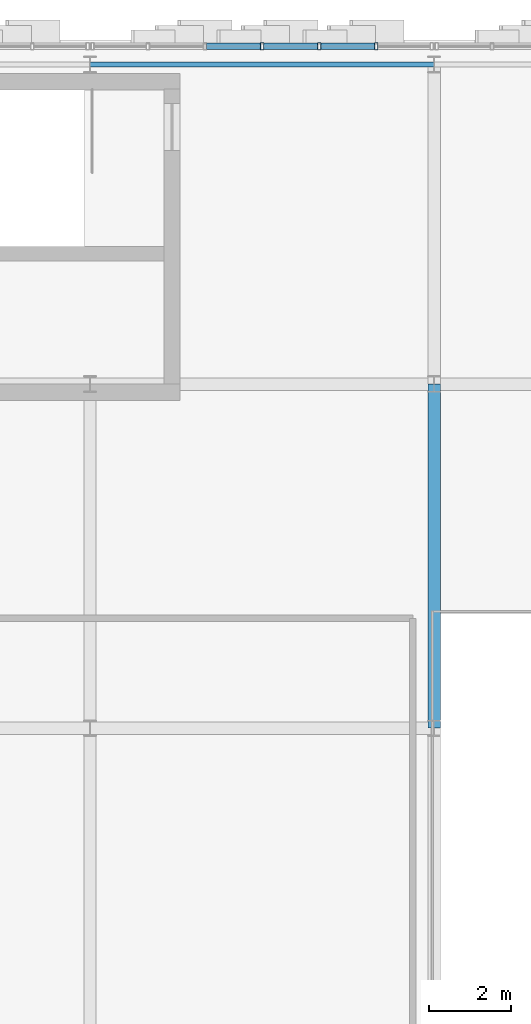
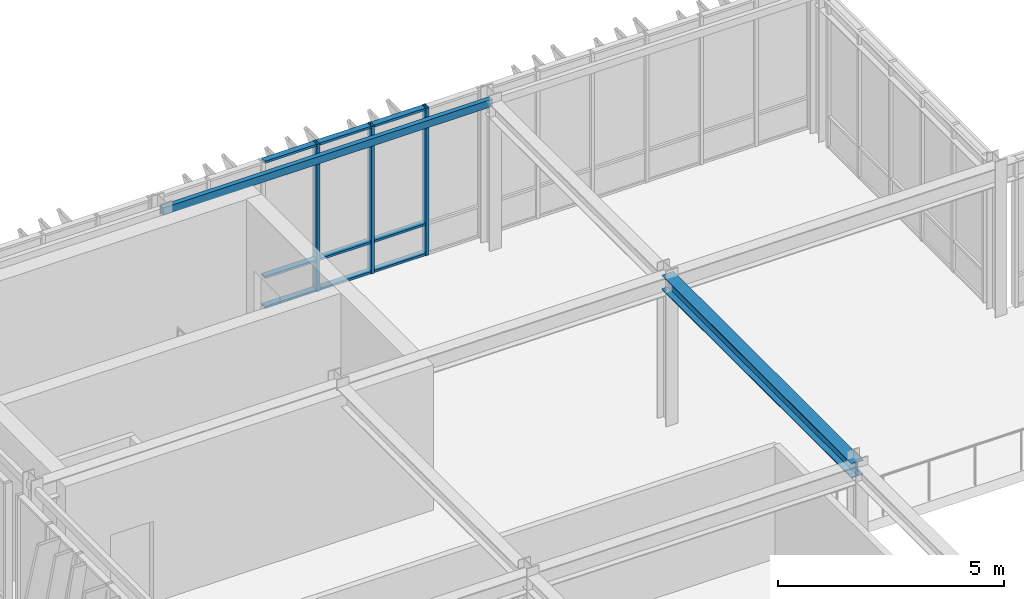
# One storey, part 43 of 123: 12 members, 2 beams, 1 element without a shape of its own.
"""IFC4 building model written with IfcOpenShell, lengths in metres."""

from ifc_helpers import new_model, si_unit, direction, frame, origin, origin_2d, place, context, subcontext, project, spatial, hollow_rectangle, i_section, extrude, material, layer, layer_set, material_profile, profile_set, type_object, element, aggregate, save


model = new_model("IFC4")

# Units and contexts
model_context = context("Model", 3, precision=1e-05, world=origin(), true_north=direction((0.0, 1.0)))
body_context = subcontext(model_context, "Body", "Model", "MODEL_VIEW")
ifc_project = project(units=[si_unit("LENGTHUNIT", "METRE"), si_unit("AREAUNIT", "SQUARE_METRE"), si_unit("VOLUMEUNIT", "CUBIC_METRE"), si_unit("PLANEANGLEUNIT", "RADIAN"), si_unit("MASSUNIT", "GRAM", prefix="KILO")], contexts=[model_context])

# Site, building, storey
site_placement = place(None, origin())
site = spatial("IfcSite", under=ifc_project, at=site_placement, CompositionType="ELEMENT")
building_placement = place(site_placement, origin())
building = spatial("IfcBuilding", under=site, at=building_placement, Name="Zayran Congress Hotel", CompositionType="ELEMENT")
storey_placement = place(building_placement, frame((0.0, 0.0, 15.0)))
storey = spatial("IfcBuildingStorey", under=building, at=storey_placement, Name="L03", CompositionType="ELEMENT", Elevation=15.0)

# Beams
ifc_material_1 = material(Name="Steel S355", Category="steel")
ifc_material_profile_1 = material_profile(ifc_material_1, i_section(OverallWidth=0.300048828125, OverallDepth=0.389892578125, WebThickness=0.010986328125, FlangeThickness=0.01904296875, at=origin_2d()), Name="HEA 400")
ifc_profile_set_1 = profile_set([ifc_material_profile_1], Name="Steel S355")
beam_type_1 = type_object("IfcBeamType", Name="TP-BM-06", PredefinedType="BEAM", material=ifc_profile_set_1)
beam_1_placement = place(storey_placement, frame((25.199951171875, 101.199951171875, 3.784912109375), z_axis=(0.0, 1.0, 0.0), x_axis=(-1.0, 0.0, 0.0)))
element("IfcBeam", 1, at=beam_1_placement, inside=storey, type_object=beam_type_1, Name="BM-V1-L03-0863", PredefinedType="BEAM", context=body_context, shape_type="SweptSolid", body=[
    extrude(i_section(OverallWidth=0.300048828125, OverallDepth=0.389892578125, WebThickness=0.010986328125, FlangeThickness=0.01904296875, at=origin_2d()), origin(), (0.0, 0.0, 1.0), 8.400146484375),
])
ifc_material_profile_2 = material_profile(ifc_material_1, hollow_rectangle(XDim=0.1201171875, YDim=0.199951171875, WallThickness=0.008056640625, at=origin_2d()), Name="RHS 200x120x8")
ifc_profile_set_2 = profile_set([ifc_material_profile_2], Name="Steel S355")
beam_type_2 = type_object("IfcBeamType", Name="TP-SP-02", PredefinedType="SPANDREL", material=ifc_profile_set_2)
beam_2_placement = place(storey_placement, frame((16.800048828125, 117.39990234375, 3.8798828125), z_axis=(1.0, 0.0, 0.0), x_axis=(0.0, 1.0, 0.0)))
element("IfcBeam", 2, at=beam_2_placement, inside=storey, type_object=beam_type_2, Name="BM-V1-L03-0840", PredefinedType="SPANDREL", context=body_context, shape_type="SweptSolid", body=[
    extrude(hollow_rectangle(XDim=0.1201171875, YDim=0.199951171875, WallThickness=0.008056640625, at=origin_2d()), origin(), (0.0, 0.0, 1.0), 8.39990234375),
])

# Curtain wall, members
ifc_material_2 = material(Name="Anodised aluminium and low-E insulated glass", Category="aluminium")
ifc_layer = layer(ifc_material_2, 0.179931640625)
ifc_layer_set = layer_set([ifc_layer], Name="Anodised aluminium and low-E insulated glass")
curtain_wall_type = type_object("IfcCurtainWallType", Name="CW-V1N-L03-CW-22-8360-3980", PredefinedType="USERDEFINED", material=ifc_layer_set)
curtain_wall_placement = place(storey_placement, origin())
curtain_wall = element("IfcCurtainWall", 3, at=curtain_wall_placement, inside=storey, type_object=curtain_wall_type, Name="CW-V1N-L03-1", ObjectType="CURTAIN WALL", PredefinedType="USERDEFINED")
ifc_material_3 = material(Name="Anodised aluminium framing", Category="aluminium")
ifc_material_profile_3 = material_profile(ifc_material_3, hollow_rectangle(XDim=0.080078125, YDim=0.179931640625, WallThickness=0.0048828125, at=origin_2d()), Name="RHS 180x80x5")
ifc_profile_set_3 = profile_set([ifc_material_profile_3], Name="Anodised aluminium framing")
member_type_1 = type_object("IfcMemberType", Name="TP-CWM-01", PredefinedType="MULLION", material=ifc_profile_set_3)
member_1_placement = place(storey_placement, frame((23.78662109375, 117.85009765625, 0.0), z_axis=(0.0, 0.0, 1.0), x_axis=(1.0, 0.0, 0.0)))
member_1 = element("IfcMember", 4, at=member_1_placement, type_object=member_type_1, Name="CW-V1N-L03-1-M01", PredefinedType="MULLION", context=body_context, shape_type="SweptSolid", body=[
    extrude(hollow_rectangle(XDim=0.080078125, YDim=0.179931640625, WallThickness=0.0048828125, at=origin_2d()), origin(), (0.0, 0.0, 1.0), 3.97998046875),
])
member_2_placement = place(storey_placement, frame((22.393310546875, 117.85009765625, 0.0), z_axis=(0.0, 0.0, 1.0), x_axis=(1.0, 0.0, 0.0)))
member_2 = element("IfcMember", 5, at=member_2_placement, type_object=member_type_1, Name="CW-V1N-L03-1-M02", PredefinedType="MULLION", context=body_context, shape_type="SweptSolid", body=[
    extrude(hollow_rectangle(XDim=0.080078125, YDim=0.179931640625, WallThickness=0.0048828125, at=origin_2d()), origin(), (0.0, 0.0, 1.0), 3.97998046875),
])
member_3_placement = place(storey_placement, frame((21.0, 117.85009765625, 0.0), z_axis=(0.0, 0.0, 1.0), x_axis=(1.0, 0.0, 0.0)))
member_3 = element("IfcMember", 6, at=member_3_placement, type_object=member_type_1, Name="CW-V1N-L03-1-M03", PredefinedType="MULLION", context=body_context, shape_type="SweptSolid", body=[
    extrude(hollow_rectangle(XDim=0.080078125, YDim=0.179931640625, WallThickness=0.0048828125, at=origin_2d()), origin(), (0.0, 0.0, 1.0), 3.97998046875),
])
ifc_material_profile_4 = material_profile(ifc_material_3, hollow_rectangle(XDim=0.06005859375, YDim=0.14990234375, WallThickness=0.00390625, at=origin_2d()), Name="RHS 150x60x4")
ifc_profile_set_4 = profile_set([ifc_material_profile_4], Name="Anodised aluminium framing")
member_type_2 = type_object("IfcMemberType", Name="TP-CWT-01", PredefinedType="USERDEFINED", material=ifc_profile_set_4)
member_4_placement = place(storey_placement, frame((23.74658203125, 117.85009765625, 0.030029296875), z_axis=(-1.0, 0.0, 0.0), x_axis=(0.0, 0.0, 1.0)))
member_4 = element("IfcMember", 7, at=member_4_placement, type_object=member_type_2, Name="CW-V1N-L03-1-T01-0", ObjectType="TRANSOM", PredefinedType="USERDEFINED", context=body_context, shape_type="SweptSolid", body=[
    extrude(hollow_rectangle(XDim=0.06005859375, YDim=0.14990234375, WallThickness=0.00390625, at=origin_2d()), origin(), (0.0, 0.0, 1.0), 1.313232421875),
])
member_5_placement = place(storey_placement, frame((23.74658203125, 117.85009765625, 0.840087890625), z_axis=(-1.0, 0.0, 0.0), x_axis=(0.0, 0.0, 1.0)))
member_5 = element("IfcMember", 8, at=member_5_placement, type_object=member_type_2, Name="CW-V1N-L03-1-T01-1", ObjectType="TRANSOM", PredefinedType="USERDEFINED", context=body_context, shape_type="SweptSolid", body=[
    extrude(hollow_rectangle(XDim=0.06005859375, YDim=0.14990234375, WallThickness=0.00390625, at=origin_2d()), origin(), (0.0, 0.0, 1.0), 1.313232421875),
])
member_6_placement = place(storey_placement, frame((23.74658203125, 117.85009765625, 3.949951171875), z_axis=(-1.0, 0.0, 0.0), x_axis=(0.0, 0.0, 1.0)))
member_6 = element("IfcMember", 9, at=member_6_placement, type_object=member_type_2, Name="CW-V1N-L03-1-T01-2", ObjectType="TRANSOM", PredefinedType="USERDEFINED", context=body_context, shape_type="SweptSolid", body=[
    extrude(hollow_rectangle(XDim=0.06005859375, YDim=0.14990234375, WallThickness=0.00390625, at=origin_2d()), origin(), (0.0, 0.0, 1.0), 1.313232421875),
])
member_7_placement = place(storey_placement, frame((22.353271484375, 117.85009765625, 0.030029296875), z_axis=(-1.0, 0.0, 0.0), x_axis=(0.0, 0.0, 1.0)))
member_7 = element("IfcMember", 10, at=member_7_placement, type_object=member_type_2, Name="CW-V1N-L03-1-T02-0", ObjectType="TRANSOM", PredefinedType="USERDEFINED", context=body_context, shape_type="SweptSolid", body=[
    extrude(hollow_rectangle(XDim=0.06005859375, YDim=0.14990234375, WallThickness=0.00390625, at=origin_2d()), origin(), (0.0, 0.0, 1.0), 1.313232421875),
])
member_8_placement = place(storey_placement, frame((22.353271484375, 117.85009765625, 0.840087890625), z_axis=(-1.0, 0.0, 0.0), x_axis=(0.0, 0.0, 1.0)))
member_8 = element("IfcMember", 11, at=member_8_placement, type_object=member_type_2, Name="CW-V1N-L03-1-T02-1", ObjectType="TRANSOM", PredefinedType="USERDEFINED", context=body_context, shape_type="SweptSolid", body=[
    extrude(hollow_rectangle(XDim=0.06005859375, YDim=0.14990234375, WallThickness=0.00390625, at=origin_2d()), origin(), (0.0, 0.0, 1.0), 1.313232421875),
])
member_9_placement = place(storey_placement, frame((22.353271484375, 117.85009765625, 3.949951171875), z_axis=(-1.0, 0.0, 0.0), x_axis=(0.0, 0.0, 1.0)))
member_9 = element("IfcMember", 12, at=member_9_placement, type_object=member_type_2, Name="CW-V1N-L03-1-T02-2", ObjectType="TRANSOM", PredefinedType="USERDEFINED", context=body_context, shape_type="SweptSolid", body=[
    extrude(hollow_rectangle(XDim=0.06005859375, YDim=0.14990234375, WallThickness=0.00390625, at=origin_2d()), origin(), (0.0, 0.0, 1.0), 1.313232421875),
])
member_10_placement = place(storey_placement, frame((20.9599609375, 117.85009765625, 0.030029296875), z_axis=(-1.0, 0.0, 0.0), x_axis=(0.0, 0.0, 1.0)))
member_10 = element("IfcMember", 13, at=member_10_placement, type_object=member_type_2, Name="CW-V1N-L03-1-T03-0", ObjectType="TRANSOM", PredefinedType="USERDEFINED", context=body_context, shape_type="SweptSolid", body=[
    extrude(hollow_rectangle(XDim=0.06005859375, YDim=0.14990234375, WallThickness=0.00390625, at=origin_2d()), origin(), (0.0, 0.0, 1.0), 1.313232421875),
])
member_11_placement = place(storey_placement, frame((20.9599609375, 117.85009765625, 0.840087890625), z_axis=(-1.0, 0.0, 0.0), x_axis=(0.0, 0.0, 1.0)))
member_11 = element("IfcMember", 14, at=member_11_placement, type_object=member_type_2, Name="CW-V1N-L03-1-T03-1", ObjectType="TRANSOM", PredefinedType="USERDEFINED", context=body_context, shape_type="SweptSolid", body=[
    extrude(hollow_rectangle(XDim=0.06005859375, YDim=0.14990234375, WallThickness=0.00390625, at=origin_2d()), origin(), (0.0, 0.0, 1.0), 1.313232421875),
])
member_12_placement = place(storey_placement, frame((20.9599609375, 117.85009765625, 3.949951171875), z_axis=(-1.0, 0.0, 0.0), x_axis=(0.0, 0.0, 1.0)))
member_12 = element("IfcMember", 15, at=member_12_placement, type_object=member_type_2, Name="CW-V1N-L03-1-T03-2", ObjectType="TRANSOM", PredefinedType="USERDEFINED", context=body_context, shape_type="SweptSolid", body=[
    extrude(hollow_rectangle(XDim=0.06005859375, YDim=0.14990234375, WallThickness=0.00390625, at=origin_2d()), origin(), (0.0, 0.0, 1.0), 1.313232421875),
])
aggregate(curtain_wall, [member_1, member_2, member_3, member_4, member_5, member_6, member_7, member_8, member_9, member_10, member_11, member_12])

save(model, "model.ifc")
